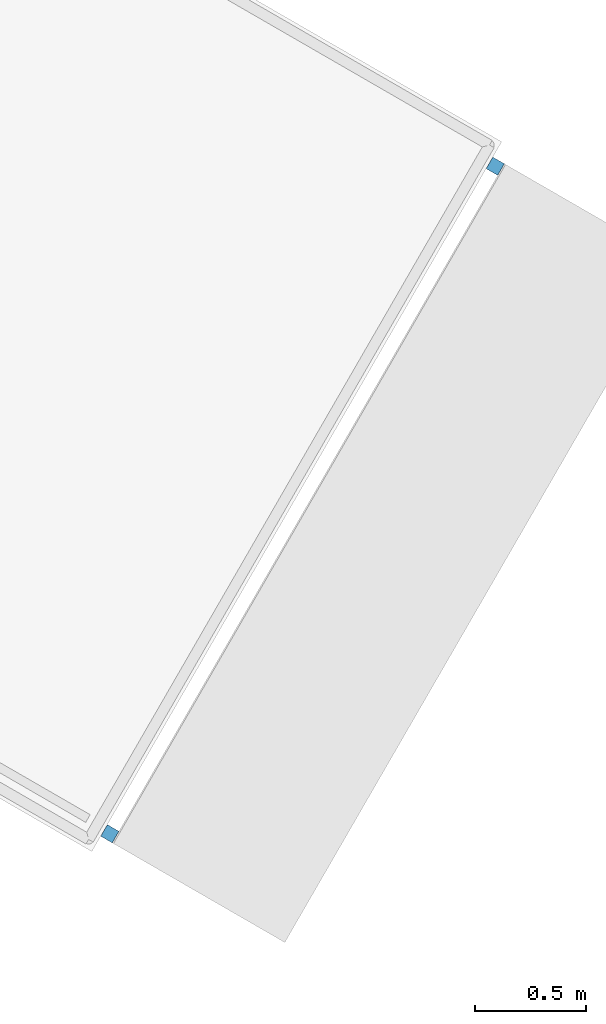
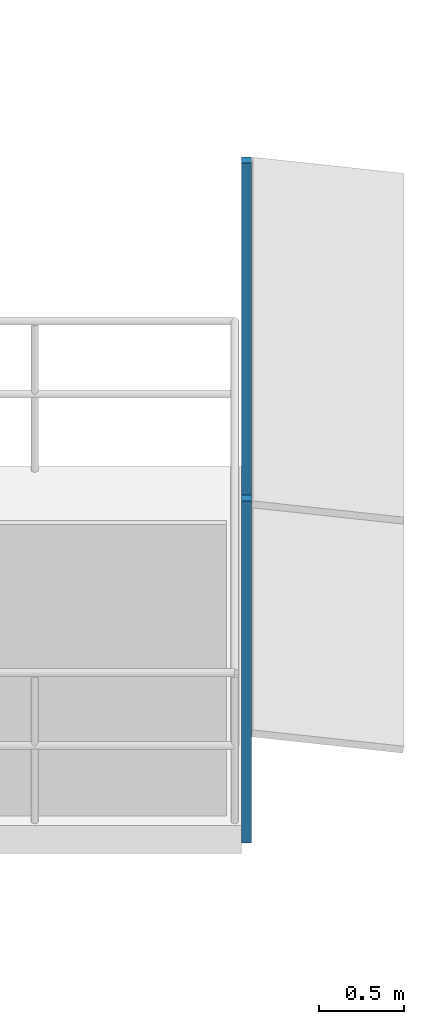
# One storey, part 11 of 15: 2 discrete accessories.
"""IFC4 building model written with IfcOpenShell, lengths in metres."""

from ifc_helpers import new_model, si_unit, direction, frame, origin, origin_2d, place, context, subcontext, project, spatial, rectangle, extrude, material, type_object, element, save


model = new_model("IFC4")

# Units and contexts
model_context = context("Model", 3, precision=1e-05, world=origin(), true_north=direction((0.0, 1.0)))
body_context = subcontext(model_context, "Body", "Model", "MODEL_VIEW")
ifc_project = project(units=[si_unit("LENGTHUNIT", "METRE"), si_unit("AREAUNIT", "SQUARE_METRE"), si_unit("VOLUMEUNIT", "CUBIC_METRE"), si_unit("PLANEANGLEUNIT", "RADIAN"), si_unit("MASSUNIT", "GRAM", prefix="KILO")], contexts=[model_context])

# Site, building, storey
site_placement = place(None, origin())
site = spatial("IfcSite", under=ifc_project, at=site_placement, CompositionType="ELEMENT")
building_placement = place(site_placement, origin())
building = spatial("IfcBuilding", under=site, at=building_placement, Name="Nakaniwa Court", CompositionType="ELEMENT")
storey_placement = place(building_placement, frame((0.0, 0.0, 216.300048828125)))
storey = spatial("IfcBuildingStorey", under=building, at=storey_placement, Name="L57", CompositionType="ELEMENT", Elevation=216.300048828125)

# Discrete accessories
ifc_material = material(Name="Black powder-coated steel bracket S275", Category="steel")
discrete_accessory_type = type_object("IfcDiscreteAccessoryType", Name="Black metal louvre bracket", PredefinedType="BRACKET", material=ifc_material)
for number, where, z_axis, x_axis, name in (
    (1, (99.5302734375, 63.66748046875, -0.22998046875), (0.0, 0.0, 1.0), (0.500016626402, 0.866015804314, 0.0), "L57 louvre bracket 02 1"),
    (2, (101.2685546875, 66.677978515625, -0.22998046875), (0.0, 0.0, 1.0), (0.500016626402, 0.866015804314, 0.0), "L57 louvre bracket 02 2"),
):
    element("IfcDiscreteAccessory", number, at=place(storey_placement, frame(where, z_axis=z_axis, x_axis=x_axis)), inside=storey, type_object=discrete_accessory_type, Name=name, PredefinedType="BRACKET", context=body_context, shape_type="SweptSolid", body=[
        extrude(rectangle(XDim=0.06005859375, YDim=0.06005859375, at=origin_2d()), origin(), (0.0, 0.0, 1.0), 2.46337890625),
    ])

save(model, "model.ifc")
